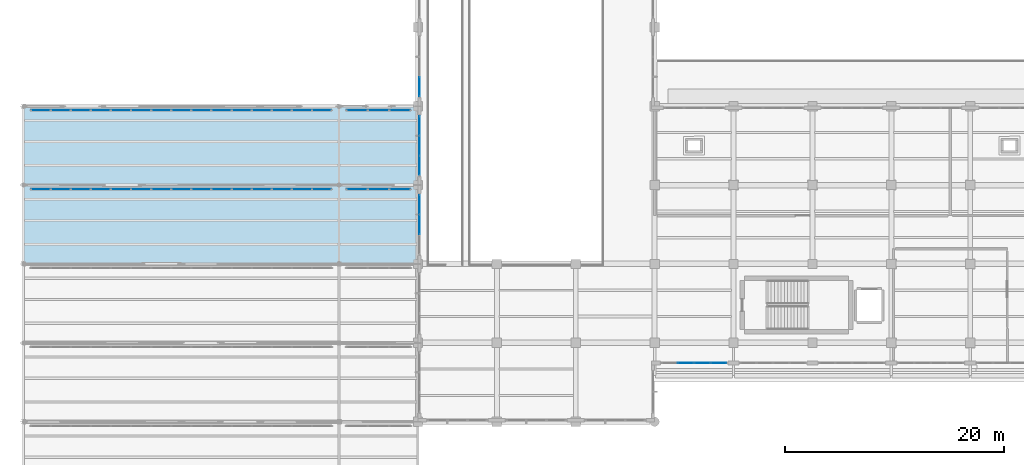
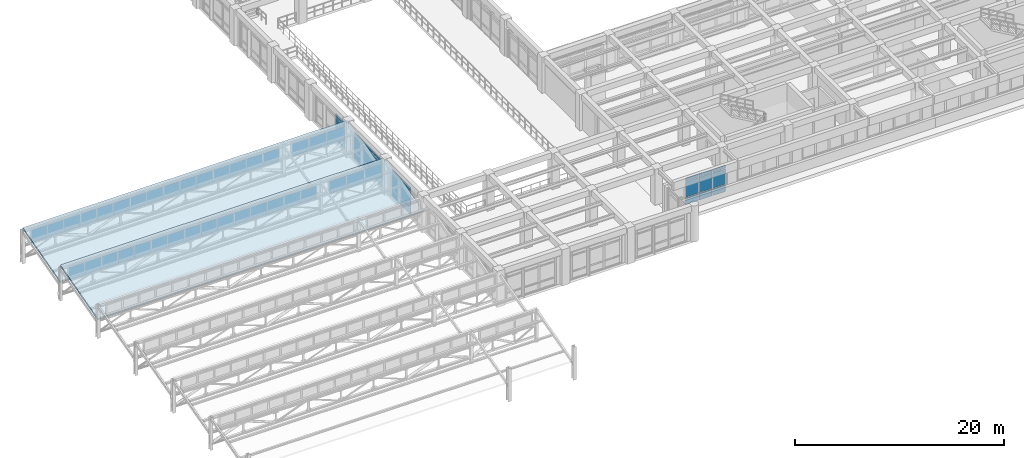
# One storey, part 66 of 98: 63 plates, 2 slabs, 8 elements without a shape of their own.
"""IFC4 building model written with IfcOpenShell, lengths in metres."""

from ifc_helpers import new_model, si_unit, direction, frame, origin, origin_2d, place, context, subcontext, project, spatial, polyline, rectangle, outline, extrude, material, layer, layer_set, type_object, element, aggregate, save


model = new_model("IFC4")

# Units and contexts
model_context = context("Model", 3, precision=1e-05, world=origin(), true_north=direction((0.0, 1.0)))
body_context = subcontext(model_context, "Body", "Model", "MODEL_VIEW")
ifc_project = project(units=[si_unit("LENGTHUNIT", "METRE"), si_unit("AREAUNIT", "SQUARE_METRE"), si_unit("VOLUMEUNIT", "CUBIC_METRE"), si_unit("PLANEANGLEUNIT", "RADIAN"), si_unit("MASSUNIT", "GRAM", prefix="KILO")], contexts=[model_context])

# Site, building, storey
site_placement = place(None, origin())
site = spatial("IfcSite", under=ifc_project, at=site_placement, CompositionType="ELEMENT")
building_placement = place(site_placement, origin())
building = spatial("IfcBuilding", under=site, at=building_placement, Name="Solenvale Faculty of Natural Sciences", CompositionType="ELEMENT")
storey_placement = place(building_placement, frame((0.0, 0.0, 9.0)))
storey = spatial("IfcBuildingStorey", under=building, at=storey_placement, Name="L02", CompositionType="ELEMENT", Elevation=9.0)

# Curtain wall, plates
ifc_material_1 = material(Name="Anodised bronze aluminium", Category="aluminium")
ifc_layer_1 = layer(ifc_material_1, 0.1650390625)
ifc_layer_set_1 = layer_set([ifc_layer_1], Name="Anodised bronze aluminium")
curtain_wall_type_1 = type_object("IfcCurtainWallType", Name="CW-SAW-CLR", PredefinedType="USERDEFINED", material=ifc_layer_set_1)
curtain_wall_1_placement = place(storey_placement, origin())
curtain_wall_1 = element("IfcCurtainWall", 1, at=curtain_wall_1_placement, inside=storey, type_object=curtain_wall_type_1, Name="L02 Curtain Wall SAW-V1-CW-5-1", ObjectType="NORTH LIGHT CLERESTORY", PredefinedType="USERDEFINED")
ifc_material_2 = material(Name="North-light skylight glass", Category="glass")
ifc_layer_2 = layer(ifc_material_2, 0.028076171875)
ifc_layer_set_2 = layer_set([ifc_layer_2], Name="North-light skylight glass")
plate_type_1 = type_object("IfcPlateType", Name="CWP-PNL-28", PredefinedType="CURTAIN_PANEL", material=ifc_layer_set_2)
plate_1_placement = place(storey_placement, frame((27.226318359375, 35.6201171875, 2.294921875), z_axis=(0.0, 0.0, 1.0), x_axis=(-1.0, 0.0, 0.0)))
plate_1 = element("IfcPlate", 2, at=plate_1_placement, type_object=plate_type_1, Name="CW-05 panel 1.1", PredefinedType="CURTAIN_PANEL", context=body_context, shape_type="SweptSolid", body=[
    extrude(rectangle(XDim=1.737060546875, YDim=0.028076171875, at=origin_2d()), origin(), (0.0, 0.0, 1.0), 1.47998046875),
])
plate_2_placement = place(storey_placement, frame((25.407958984375, 35.6201171875, 2.294921875), z_axis=(0.0, 0.0, 1.0), x_axis=(-1.0, 0.0, 0.0)))
plate_2 = element("IfcPlate", 3, at=plate_2_placement, type_object=plate_type_1, Name="CW-05 panel 2.1", PredefinedType="CURTAIN_PANEL", context=body_context, shape_type="SweptSolid", body=[
    extrude(rectangle(XDim=1.769775390625, YDim=0.028076171875, at=origin_2d()), origin(), (0.0, 0.0, 1.0), 1.47998046875),
])
plate_3_placement = place(storey_placement, frame((23.5732421875, 35.6201171875, 2.294921875), z_axis=(0.0, 0.0, 1.0), x_axis=(-1.0, 0.0, 0.0)))
plate_3 = element("IfcPlate", 4, at=plate_3_placement, type_object=plate_type_1, Name="CW-05 panel 3.1", PredefinedType="CURTAIN_PANEL", context=body_context, shape_type="SweptSolid", body=[
    extrude(rectangle(XDim=1.769775390625, YDim=0.028076171875, at=origin_2d()), origin(), (0.0, 0.0, 1.0), 1.47998046875),
])
plate_4_placement = place(storey_placement, frame((21.73876953125, 35.6201171875, 2.294921875), z_axis=(0.0, 0.0, 1.0), x_axis=(-1.0, 0.0, 0.0)))
plate_4 = element("IfcPlate", 5, at=plate_4_placement, type_object=plate_type_1, Name="CW-05 panel 4.1", PredefinedType="CURTAIN_PANEL", context=body_context, shape_type="SweptSolid", body=[
    extrude(rectangle(XDim=1.769775390625, YDim=0.028076171875, at=origin_2d()), origin(), (0.0, 0.0, 1.0), 1.47998046875),
])
plate_5_placement = place(storey_placement, frame((19.904052734375, 35.6201171875, 2.294921875), z_axis=(0.0, 0.0, 1.0), x_axis=(-1.0, 0.0, 0.0)))
plate_5 = element("IfcPlate", 6, at=plate_5_placement, type_object=plate_type_1, Name="CW-05 panel 5.1", PredefinedType="CURTAIN_PANEL", context=body_context, shape_type="SweptSolid", body=[
    extrude(rectangle(XDim=1.769775390625, YDim=0.028076171875, at=origin_2d()), origin(), (0.0, 0.0, 1.0), 1.47998046875),
])
plate_6_placement = place(storey_placement, frame((18.0693359375, 35.6201171875, 2.294921875), z_axis=(0.0, 0.0, 1.0), x_axis=(-1.0, 0.0, 0.0)))
plate_6 = element("IfcPlate", 7, at=plate_6_placement, type_object=plate_type_1, Name="CW-05 panel 6.1", PredefinedType="CURTAIN_PANEL", context=body_context, shape_type="SweptSolid", body=[
    extrude(rectangle(XDim=1.769775390625, YDim=0.028076171875, at=origin_2d()), origin(), (0.0, 0.0, 1.0), 1.47998046875),
])
plate_7_placement = place(storey_placement, frame((16.234619140625, 35.6201171875, 2.294921875), z_axis=(0.0, 0.0, 1.0), x_axis=(-1.0, 0.0, 0.0)))
plate_7 = element("IfcPlate", 8, at=plate_7_placement, type_object=plate_type_1, Name="CW-05 panel 7.1", PredefinedType="CURTAIN_PANEL", context=body_context, shape_type="SweptSolid", body=[
    extrude(rectangle(XDim=1.769775390625, YDim=0.028076171875, at=origin_2d()), origin(), (0.0, 0.0, 1.0), 1.47998046875),
])
plate_8_placement = place(storey_placement, frame((14.39990234375, 35.6201171875, 2.294921875), z_axis=(0.0, 0.0, 1.0), x_axis=(-1.0, 0.0, 0.0)))
plate_8 = element("IfcPlate", 9, at=plate_8_placement, type_object=plate_type_1, Name="CW-05 panel 8.1", PredefinedType="CURTAIN_PANEL", context=body_context, shape_type="SweptSolid", body=[
    extrude(rectangle(XDim=1.769775390625, YDim=0.028076171875, at=origin_2d()), origin(), (0.0, 0.0, 1.0), 1.47998046875),
])
plate_9_placement = place(storey_placement, frame((12.5654296875, 35.6201171875, 2.294921875), z_axis=(0.0, 0.0, 1.0), x_axis=(-1.0, 0.0, 0.0)))
plate_9 = element("IfcPlate", 10, at=plate_9_placement, type_object=plate_type_1, Name="CW-05 panel 9.1", PredefinedType="CURTAIN_PANEL", context=body_context, shape_type="SweptSolid", body=[
    extrude(rectangle(XDim=1.769775390625, YDim=0.028076171875, at=origin_2d()), origin(), (0.0, 0.0, 1.0), 1.47998046875),
])
plate_10_placement = place(storey_placement, frame((10.730712890625, 35.6201171875, 2.294921875), z_axis=(0.0, 0.0, 1.0), x_axis=(-1.0, 0.0, 0.0)))
plate_10 = element("IfcPlate", 11, at=plate_10_placement, type_object=plate_type_1, Name="CW-05 panel 10.1", PredefinedType="CURTAIN_PANEL", context=body_context, shape_type="SweptSolid", body=[
    extrude(rectangle(XDim=1.769775390625, YDim=0.028076171875, at=origin_2d()), origin(), (0.0, 0.0, 1.0), 1.47998046875),
])
plate_11_placement = place(storey_placement, frame((8.89599609375, 35.6201171875, 2.294921875), z_axis=(0.0, 0.0, 1.0), x_axis=(-1.0, 0.0, 0.0)))
plate_11 = element("IfcPlate", 12, at=plate_11_placement, type_object=plate_type_1, Name="CW-05 panel 11.1", PredefinedType="CURTAIN_PANEL", context=body_context, shape_type="SweptSolid", body=[
    extrude(rectangle(XDim=1.769775390625, YDim=0.028076171875, at=origin_2d()), origin(), (0.0, 0.0, 1.0), 1.47998046875),
])
plate_12_placement = place(storey_placement, frame((7.061279296875, 35.6201171875, 2.294921875), z_axis=(0.0, 0.0, 1.0), x_axis=(-1.0, 0.0, 0.0)))
plate_12 = element("IfcPlate", 13, at=plate_12_placement, type_object=plate_type_1, Name="CW-05 panel 12.1", PredefinedType="CURTAIN_PANEL", context=body_context, shape_type="SweptSolid", body=[
    extrude(rectangle(XDim=1.769775390625, YDim=0.028076171875, at=origin_2d()), origin(), (0.0, 0.0, 1.0), 1.47998046875),
])
plate_13_placement = place(storey_placement, frame((5.2265625, 35.6201171875, 2.294921875), z_axis=(0.0, 0.0, 1.0), x_axis=(-1.0, 0.0, 0.0)))
plate_13 = element("IfcPlate", 14, at=plate_13_placement, type_object=plate_type_1, Name="CW-05 panel 13.1", PredefinedType="CURTAIN_PANEL", context=body_context, shape_type="SweptSolid", body=[
    extrude(rectangle(XDim=1.769775390625, YDim=0.028076171875, at=origin_2d()), origin(), (0.0, 0.0, 1.0), 1.47998046875),
])
plate_14_placement = place(storey_placement, frame((3.39208984375, 35.6201171875, 2.294921875), z_axis=(0.0, 0.0, 1.0), x_axis=(-1.0, 0.0, 0.0)))
plate_14 = element("IfcPlate", 15, at=plate_14_placement, type_object=plate_type_1, Name="CW-05 panel 14.1", PredefinedType="CURTAIN_PANEL", context=body_context, shape_type="SweptSolid", body=[
    extrude(rectangle(XDim=1.769775390625, YDim=0.028076171875, at=origin_2d()), origin(), (0.0, 0.0, 1.0), 1.47998046875),
])
plate_15_placement = place(storey_placement, frame((1.573486328125, 35.6201171875, 2.294921875), z_axis=(0.0, 0.0, 1.0), x_axis=(-1.0, 0.0, 0.0)))
plate_15 = element("IfcPlate", 16, at=plate_15_placement, type_object=plate_type_1, Name="CW-05 panel 15.1", PredefinedType="CURTAIN_PANEL", context=body_context, shape_type="SweptSolid", body=[
    extrude(rectangle(XDim=1.737060546875, YDim=0.028076171875, at=origin_2d()), origin(), (0.0, 0.0, 1.0), 1.47998046875),
])
aggregate(curtain_wall_1, [plate_1, plate_2, plate_3, plate_4, plate_5, plate_6, plate_7, plate_8, plate_9, plate_10, plate_11, plate_12, plate_13, plate_14, plate_15])

curtain_wall_2_placement = place(storey_placement, origin())
curtain_wall_2 = element("IfcCurtainWall", 17, at=curtain_wall_2_placement, inside=storey, type_object=curtain_wall_type_1, Name="L02 Curtain Wall SAW-V1-CW-5-2", ObjectType="NORTH LIGHT CLERESTORY", PredefinedType="USERDEFINED")
plate_16_placement = place(storey_placement, frame((34.357177734375, 35.6201171875, 2.294921875), z_axis=(0.0, 0.0, 1.0), x_axis=(-1.0, 0.0, 0.0)))
plate_16 = element("IfcPlate", 18, at=plate_16_placement, type_object=plate_type_1, Name="CW-05 panel 1.1", PredefinedType="CURTAIN_PANEL", context=body_context, shape_type="SweptSolid", body=[
    extrude(rectangle(XDim=1.875732421875, YDim=0.028076171875, at=origin_2d()), origin(), (0.0, 0.0, 1.0), 1.47998046875),
])
plate_17_placement = place(storey_placement, frame((32.39990234375, 35.6201171875, 2.294921875), z_axis=(0.0, 0.0, 1.0), x_axis=(-1.0, 0.0, 0.0)))
plate_17 = element("IfcPlate", 19, at=plate_17_placement, type_object=plate_type_1, Name="CW-05 panel 2.1", PredefinedType="CURTAIN_PANEL", context=body_context, shape_type="SweptSolid", body=[
    extrude(rectangle(XDim=1.908447265625, YDim=0.028076171875, at=origin_2d()), origin(), (0.0, 0.0, 1.0), 1.47998046875),
])
plate_18_placement = place(storey_placement, frame((30.44287109375, 35.6201171875, 2.294921875), z_axis=(0.0, 0.0, 1.0), x_axis=(-1.0, 0.0, 0.0)))
plate_18 = element("IfcPlate", 20, at=plate_18_placement, type_object=plate_type_1, Name="CW-05 panel 3.1", PredefinedType="CURTAIN_PANEL", context=body_context, shape_type="SweptSolid", body=[
    extrude(rectangle(XDim=1.875732421875, YDim=0.028076171875, at=origin_2d()), origin(), (0.0, 0.0, 1.0), 1.47998046875),
])
aggregate(curtain_wall_2, [plate_16, plate_17, plate_18])

curtain_wall_3_placement = place(storey_placement, origin())
curtain_wall_3 = element("IfcCurtainWall", 21, at=curtain_wall_3_placement, inside=storey, type_object=curtain_wall_type_1, Name="L02 Curtain Wall SAW-V1-CW-6-1", ObjectType="NORTH LIGHT CLERESTORY", PredefinedType="USERDEFINED")
plate_19_placement = place(storey_placement, frame((27.226318359375, 42.820068359375, 2.294921875), z_axis=(0.0, 0.0, 1.0), x_axis=(-1.0, 0.0, 0.0)))
plate_19 = element("IfcPlate", 22, at=plate_19_placement, type_object=plate_type_1, Name="CW-05 panel 1.1", PredefinedType="CURTAIN_PANEL", context=body_context, shape_type="SweptSolid", body=[
    extrude(rectangle(XDim=1.737060546875, YDim=0.028076171875, at=origin_2d()), origin(), (0.0, 0.0, 1.0), 1.47998046875),
])
plate_20_placement = place(storey_placement, frame((25.407958984375, 42.820068359375, 2.294921875), z_axis=(0.0, 0.0, 1.0), x_axis=(-1.0, 0.0, 0.0)))
plate_20 = element("IfcPlate", 23, at=plate_20_placement, type_object=plate_type_1, Name="CW-05 panel 2.1", PredefinedType="CURTAIN_PANEL", context=body_context, shape_type="SweptSolid", body=[
    extrude(rectangle(XDim=1.769775390625, YDim=0.028076171875, at=origin_2d()), origin(), (0.0, 0.0, 1.0), 1.47998046875),
])
plate_21_placement = place(storey_placement, frame((23.5732421875, 42.820068359375, 2.294921875), z_axis=(0.0, 0.0, 1.0), x_axis=(-1.0, 0.0, 0.0)))
plate_21 = element("IfcPlate", 24, at=plate_21_placement, type_object=plate_type_1, Name="CW-05 panel 3.1", PredefinedType="CURTAIN_PANEL", context=body_context, shape_type="SweptSolid", body=[
    extrude(rectangle(XDim=1.769775390625, YDim=0.028076171875, at=origin_2d()), origin(), (0.0, 0.0, 1.0), 1.47998046875),
])
plate_22_placement = place(storey_placement, frame((21.73876953125, 42.820068359375, 2.294921875), z_axis=(0.0, 0.0, 1.0), x_axis=(-1.0, 0.0, 0.0)))
plate_22 = element("IfcPlate", 25, at=plate_22_placement, type_object=plate_type_1, Name="CW-05 panel 4.1", PredefinedType="CURTAIN_PANEL", context=body_context, shape_type="SweptSolid", body=[
    extrude(rectangle(XDim=1.769775390625, YDim=0.028076171875, at=origin_2d()), origin(), (0.0, 0.0, 1.0), 1.47998046875),
])
plate_23_placement = place(storey_placement, frame((19.904052734375, 42.820068359375, 2.294921875), z_axis=(0.0, 0.0, 1.0), x_axis=(-1.0, 0.0, 0.0)))
plate_23 = element("IfcPlate", 26, at=plate_23_placement, type_object=plate_type_1, Name="CW-05 panel 5.1", PredefinedType="CURTAIN_PANEL", context=body_context, shape_type="SweptSolid", body=[
    extrude(rectangle(XDim=1.769775390625, YDim=0.028076171875, at=origin_2d()), origin(), (0.0, 0.0, 1.0), 1.47998046875),
])
plate_24_placement = place(storey_placement, frame((18.0693359375, 42.820068359375, 2.294921875), z_axis=(0.0, 0.0, 1.0), x_axis=(-1.0, 0.0, 0.0)))
plate_24 = element("IfcPlate", 27, at=plate_24_placement, type_object=plate_type_1, Name="CW-05 panel 6.1", PredefinedType="CURTAIN_PANEL", context=body_context, shape_type="SweptSolid", body=[
    extrude(rectangle(XDim=1.769775390625, YDim=0.028076171875, at=origin_2d()), origin(), (0.0, 0.0, 1.0), 1.47998046875),
])
plate_25_placement = place(storey_placement, frame((16.234619140625, 42.820068359375, 2.294921875), z_axis=(0.0, 0.0, 1.0), x_axis=(-1.0, 0.0, 0.0)))
plate_25 = element("IfcPlate", 28, at=plate_25_placement, type_object=plate_type_1, Name="CW-05 panel 7.1", PredefinedType="CURTAIN_PANEL", context=body_context, shape_type="SweptSolid", body=[
    extrude(rectangle(XDim=1.769775390625, YDim=0.028076171875, at=origin_2d()), origin(), (0.0, 0.0, 1.0), 1.47998046875),
])
plate_26_placement = place(storey_placement, frame((14.39990234375, 42.820068359375, 2.294921875), z_axis=(0.0, 0.0, 1.0), x_axis=(-1.0, 0.0, 0.0)))
plate_26 = element("IfcPlate", 29, at=plate_26_placement, type_object=plate_type_1, Name="CW-05 panel 8.1", PredefinedType="CURTAIN_PANEL", context=body_context, shape_type="SweptSolid", body=[
    extrude(rectangle(XDim=1.769775390625, YDim=0.028076171875, at=origin_2d()), origin(), (0.0, 0.0, 1.0), 1.47998046875),
])
plate_27_placement = place(storey_placement, frame((12.5654296875, 42.820068359375, 2.294921875), z_axis=(0.0, 0.0, 1.0), x_axis=(-1.0, 0.0, 0.0)))
plate_27 = element("IfcPlate", 30, at=plate_27_placement, type_object=plate_type_1, Name="CW-05 panel 9.1", PredefinedType="CURTAIN_PANEL", context=body_context, shape_type="SweptSolid", body=[
    extrude(rectangle(XDim=1.769775390625, YDim=0.028076171875, at=origin_2d()), origin(), (0.0, 0.0, 1.0), 1.47998046875),
])
plate_28_placement = place(storey_placement, frame((10.730712890625, 42.820068359375, 2.294921875), z_axis=(0.0, 0.0, 1.0), x_axis=(-1.0, 0.0, 0.0)))
plate_28 = element("IfcPlate", 31, at=plate_28_placement, type_object=plate_type_1, Name="CW-05 panel 10.1", PredefinedType="CURTAIN_PANEL", context=body_context, shape_type="SweptSolid", body=[
    extrude(rectangle(XDim=1.769775390625, YDim=0.028076171875, at=origin_2d()), origin(), (0.0, 0.0, 1.0), 1.47998046875),
])
plate_29_placement = place(storey_placement, frame((8.89599609375, 42.820068359375, 2.294921875), z_axis=(0.0, 0.0, 1.0), x_axis=(-1.0, 0.0, 0.0)))
plate_29 = element("IfcPlate", 32, at=plate_29_placement, type_object=plate_type_1, Name="CW-05 panel 11.1", PredefinedType="CURTAIN_PANEL", context=body_context, shape_type="SweptSolid", body=[
    extrude(rectangle(XDim=1.769775390625, YDim=0.028076171875, at=origin_2d()), origin(), (0.0, 0.0, 1.0), 1.47998046875),
])
plate_30_placement = place(storey_placement, frame((7.061279296875, 42.820068359375, 2.294921875), z_axis=(0.0, 0.0, 1.0), x_axis=(-1.0, 0.0, 0.0)))
plate_30 = element("IfcPlate", 33, at=plate_30_placement, type_object=plate_type_1, Name="CW-05 panel 12.1", PredefinedType="CURTAIN_PANEL", context=body_context, shape_type="SweptSolid", body=[
    extrude(rectangle(XDim=1.769775390625, YDim=0.028076171875, at=origin_2d()), origin(), (0.0, 0.0, 1.0), 1.47998046875),
])
plate_31_placement = place(storey_placement, frame((5.2265625, 42.820068359375, 2.294921875), z_axis=(0.0, 0.0, 1.0), x_axis=(-1.0, 0.0, 0.0)))
plate_31 = element("IfcPlate", 34, at=plate_31_placement, type_object=plate_type_1, Name="CW-05 panel 13.1", PredefinedType="CURTAIN_PANEL", context=body_context, shape_type="SweptSolid", body=[
    extrude(rectangle(XDim=1.769775390625, YDim=0.028076171875, at=origin_2d()), origin(), (0.0, 0.0, 1.0), 1.47998046875),
])
plate_32_placement = place(storey_placement, frame((3.39208984375, 42.820068359375, 2.294921875), z_axis=(0.0, 0.0, 1.0), x_axis=(-1.0, 0.0, 0.0)))
plate_32 = element("IfcPlate", 35, at=plate_32_placement, type_object=plate_type_1, Name="CW-05 panel 14.1", PredefinedType="CURTAIN_PANEL", context=body_context, shape_type="SweptSolid", body=[
    extrude(rectangle(XDim=1.769775390625, YDim=0.028076171875, at=origin_2d()), origin(), (0.0, 0.0, 1.0), 1.47998046875),
])
plate_33_placement = place(storey_placement, frame((1.573486328125, 42.820068359375, 2.294921875), z_axis=(0.0, 0.0, 1.0), x_axis=(-1.0, 0.0, 0.0)))
plate_33 = element("IfcPlate", 36, at=plate_33_placement, type_object=plate_type_1, Name="CW-05 panel 15.1", PredefinedType="CURTAIN_PANEL", context=body_context, shape_type="SweptSolid", body=[
    extrude(rectangle(XDim=1.737060546875, YDim=0.028076171875, at=origin_2d()), origin(), (0.0, 0.0, 1.0), 1.47998046875),
])
aggregate(curtain_wall_3, [plate_19, plate_20, plate_21, plate_22, plate_23, plate_24, plate_25, plate_26, plate_27, plate_28, plate_29, plate_30, plate_31, plate_32, plate_33])

curtain_wall_4_placement = place(storey_placement, origin())
curtain_wall_4 = element("IfcCurtainWall", 37, at=curtain_wall_4_placement, inside=storey, type_object=curtain_wall_type_1, Name="L02 Curtain Wall SAW-V1-CW-6-2", ObjectType="NORTH LIGHT CLERESTORY", PredefinedType="USERDEFINED")
plate_34_placement = place(storey_placement, frame((34.357177734375, 42.820068359375, 2.294921875), z_axis=(0.0, 0.0, 1.0), x_axis=(-1.0, 0.0, 0.0)))
plate_34 = element("IfcPlate", 38, at=plate_34_placement, type_object=plate_type_1, Name="CW-05 panel 1.1", PredefinedType="CURTAIN_PANEL", context=body_context, shape_type="SweptSolid", body=[
    extrude(rectangle(XDim=1.875732421875, YDim=0.028076171875, at=origin_2d()), origin(), (0.0, 0.0, 1.0), 1.47998046875),
])
plate_35_placement = place(storey_placement, frame((32.39990234375, 42.820068359375, 2.294921875), z_axis=(0.0, 0.0, 1.0), x_axis=(-1.0, 0.0, 0.0)))
plate_35 = element("IfcPlate", 39, at=plate_35_placement, type_object=plate_type_1, Name="CW-05 panel 2.1", PredefinedType="CURTAIN_PANEL", context=body_context, shape_type="SweptSolid", body=[
    extrude(rectangle(XDim=1.908447265625, YDim=0.028076171875, at=origin_2d()), origin(), (0.0, 0.0, 1.0), 1.47998046875),
])
plate_36_placement = place(storey_placement, frame((30.44287109375, 42.820068359375, 2.294921875), z_axis=(0.0, 0.0, 1.0), x_axis=(-1.0, 0.0, 0.0)))
plate_36 = element("IfcPlate", 40, at=plate_36_placement, type_object=plate_type_1, Name="CW-05 panel 3.1", PredefinedType="CURTAIN_PANEL", context=body_context, shape_type="SweptSolid", body=[
    extrude(rectangle(XDim=1.875732421875, YDim=0.028076171875, at=origin_2d()), origin(), (0.0, 0.0, 1.0), 1.47998046875),
])
aggregate(curtain_wall_4, [plate_34, plate_35, plate_36])

ifc_layer_3 = layer(ifc_material_1, 0.18994140625)
ifc_layer_set_3 = layer_set([ifc_layer_3], Name="Anodised bronze aluminium")
curtain_wall_type_2 = type_object("IfcCurtainWallType", Name="CW-TRAY-REC", PredefinedType="USERDEFINED", material=ifc_layer_set_3)
curtain_wall_5_placement = place(storey_placement, origin())
curtain_wall_5 = element("IfcCurtainWall", 41, at=curtain_wall_5_placement, inside=storey, type_object=curtain_wall_type_2, Name="L02 Curtain Wall CW-L02-P1-E12-B1", ObjectType="UNITISED CURTAIN WALL", PredefinedType="USERDEFINED")
plate_37_placement = place(storey_placement, frame((60.445068359375, 19.762451171875, 0.074951171875), z_axis=(0.0, 0.0, 1.0), x_axis=(1.0, 0.0, 0.0)))
plate_37 = element("IfcPlate", 42, at=plate_37_placement, type_object=plate_type_1, Name="CW-02 panel 2.1", PredefinedType="CURTAIN_PANEL", context=body_context, shape_type="SweptSolid", body=[
    extrude(rectangle(XDim=1.43505859375, YDim=0.028076171875, at=origin_2d()), origin(), (0.0, 0.0, 1.0), 0.78759765625),
])
plate_38_placement = place(storey_placement, frame((60.445068359375, 19.762451171875, 0.9375), z_axis=(0.0, 0.0, 1.0), x_axis=(1.0, 0.0, 0.0)))
plate_38 = element("IfcPlate", 43, at=plate_38_placement, type_object=plate_type_1, Name="CW-02 panel 2.2", PredefinedType="CURTAIN_PANEL", context=body_context, shape_type="SweptSolid", body=[
    extrude(rectangle(XDim=1.43505859375, YDim=0.028076171875, at=origin_2d()), origin(), (0.0, 0.0, 1.0), 1.784912109375),
])
plate_39_placement = place(storey_placement, frame((60.445068359375, 19.762451171875, 2.79736328125), z_axis=(0.0, 0.0, 1.0), x_axis=(1.0, 0.0, 0.0)))
plate_39 = element("IfcPlate", 44, at=plate_39_placement, type_object=plate_type_1, Name="CW-02 panel 2.3", PredefinedType="CURTAIN_PANEL", context=body_context, shape_type="SweptSolid", body=[
    extrude(rectangle(XDim=1.43505859375, YDim=0.028076171875, at=origin_2d()), origin(), (0.0, 0.0, 1.0), 0.387451171875),
])
plate_40_placement = place(storey_placement, frame((61.955078125, 19.762451171875, 0.074951171875), z_axis=(0.0, 0.0, 1.0), x_axis=(1.0, 0.0, 0.0)))
plate_40 = element("IfcPlate", 45, at=plate_40_placement, type_object=plate_type_1, Name="CW-02 panel 3.1", PredefinedType="CURTAIN_PANEL", context=body_context, shape_type="SweptSolid", body=[
    extrude(rectangle(XDim=1.43505859375, YDim=0.028076171875, at=origin_2d()), origin(), (0.0, 0.0, 1.0), 0.78759765625),
])
plate_41_placement = place(storey_placement, frame((61.955078125, 19.762451171875, 0.9375), z_axis=(0.0, 0.0, 1.0), x_axis=(1.0, 0.0, 0.0)))
plate_41 = element("IfcPlate", 46, at=plate_41_placement, type_object=plate_type_1, Name="CW-02 panel 3.2", PredefinedType="CURTAIN_PANEL", context=body_context, shape_type="SweptSolid", body=[
    extrude(rectangle(XDim=1.43505859375, YDim=0.028076171875, at=origin_2d()), origin(), (0.0, 0.0, 1.0), 1.784912109375),
])
plate_42_placement = place(storey_placement, frame((61.955078125, 19.762451171875, 2.79736328125), z_axis=(0.0, 0.0, 1.0), x_axis=(1.0, 0.0, 0.0)))
plate_42 = element("IfcPlate", 47, at=plate_42_placement, type_object=plate_type_1, Name="CW-02 panel 3.3", PredefinedType="CURTAIN_PANEL", context=body_context, shape_type="SweptSolid", body=[
    extrude(rectangle(XDim=1.43505859375, YDim=0.028076171875, at=origin_2d()), origin(), (0.0, 0.0, 1.0), 0.387451171875),
])
plate_43_placement = place(storey_placement, frame((63.4462890625, 19.762451171875, 0.074951171875), z_axis=(0.0, 0.0, 1.0), x_axis=(1.0, 0.0, 0.0)))
plate_43 = element("IfcPlate", 48, at=plate_43_placement, type_object=plate_type_1, Name="CW-02 panel 4.1", PredefinedType="CURTAIN_PANEL", context=body_context, shape_type="SweptSolid", body=[
    extrude(rectangle(XDim=1.3974609375, YDim=0.028076171875, at=origin_2d()), origin(), (0.0, 0.0, 1.0), 0.78759765625),
])
plate_44_placement = place(storey_placement, frame((63.4462890625, 19.762451171875, 0.9375), z_axis=(0.0, 0.0, 1.0), x_axis=(1.0, 0.0, 0.0)))
plate_44 = element("IfcPlate", 49, at=plate_44_placement, type_object=plate_type_1, Name="CW-02 panel 4.2", PredefinedType="CURTAIN_PANEL", context=body_context, shape_type="SweptSolid", body=[
    extrude(rectangle(XDim=1.3974609375, YDim=0.028076171875, at=origin_2d()), origin(), (0.0, 0.0, 1.0), 1.784912109375),
])
plate_45_placement = place(storey_placement, frame((63.4462890625, 19.762451171875, 2.79736328125), z_axis=(0.0, 0.0, 1.0), x_axis=(1.0, 0.0, 0.0)))
plate_45 = element("IfcPlate", 50, at=plate_45_placement, type_object=plate_type_1, Name="CW-02 panel 4.3", PredefinedType="CURTAIN_PANEL", context=body_context, shape_type="SweptSolid", body=[
    extrude(rectangle(XDim=1.3974609375, YDim=0.028076171875, at=origin_2d()), origin(), (0.0, 0.0, 1.0), 0.387451171875),
])
aggregate(curtain_wall_5, [plate_37, plate_38, plate_39, plate_40, plate_41, plate_42, plate_43, plate_44, plate_45])

ifc_layer_4 = layer(ifc_material_1, 0.215087890625)
ifc_layer_set_4 = layer_set([ifc_layer_4], Name="Anodised bronze aluminium")
curtain_wall_type_3 = type_object("IfcCurtainWallType", Name="CW-ATR-UNIT", PredefinedType="USERDEFINED", material=ifc_layer_set_4)
curtain_wall_6_placement = place(storey_placement, origin())
curtain_wall_6 = element("IfcCurtainWall", 51, at=curtain_wall_6_placement, inside=storey, type_object=curtain_wall_type_3, Name="L02 Curtain Wall CW-L02-P1-E9-B7", ObjectType="UNITISED CURTAIN WALL", PredefinedType="USERDEFINED")
ifc_material_3 = material(Name="Triple low-E insulated glass", Category="glass")
ifc_layer_5 = layer(ifc_material_3, 0.0400390625)
ifc_layer_set_5 = layer_set([ifc_layer_5], Name="Triple low-E insulated glass")
plate_type_2 = type_object("IfcPlateType", Name="CWP-PNL-40", PredefinedType="CURTAIN_PANEL", material=ifc_layer_set_5)
plate_46_placement = place(storey_placement, frame((36.142578125, 44.9853515625, 0.074951171875), z_axis=(0.0, 0.0, 1.0), x_axis=(0.0, -1.0, 0.0)))
plate_46 = element("IfcPlate", 52, at=plate_46_placement, type_object=plate_type_2, Name="CW-01 panel 3.1", PredefinedType="CURTAIN_PANEL", context=body_context, shape_type="SweptSolid", body=[
    extrude(rectangle(XDim=1.720947265625, YDim=0.0400390625, at=origin_2d()), origin(), (0.0, 0.0, 1.0), 0.78759765625),
])
plate_47_placement = place(storey_placement, frame((36.142578125, 44.9853515625, 0.9375), z_axis=(0.0, 0.0, 1.0), x_axis=(0.0, -1.0, 0.0)))
plate_47 = element("IfcPlate", 53, at=plate_47_placement, type_object=plate_type_2, Name="CW-01 panel 3.2", PredefinedType="CURTAIN_PANEL", context=body_context, shape_type="SweptSolid", body=[
    extrude(rectangle(XDim=1.720947265625, YDim=0.0400390625, at=origin_2d()), origin(), (0.0, 0.0, 1.0), 1.784912109375),
])
plate_48_placement = place(storey_placement, frame((36.142578125, 44.9853515625, 2.79736328125), z_axis=(0.0, 0.0, 1.0), x_axis=(0.0, -1.0, 0.0)))
plate_48 = element("IfcPlate", 54, at=plate_48_placement, type_object=plate_type_2, Name="CW-01 panel 3.3", PredefinedType="CURTAIN_PANEL", context=body_context, shape_type="SweptSolid", body=[
    extrude(rectangle(XDim=1.720947265625, YDim=0.0400390625, at=origin_2d()), origin(), (0.0, 0.0, 1.0), 0.387451171875),
])
aggregate(curtain_wall_6, [plate_46, plate_47, plate_48])

curtain_wall_7_placement = place(storey_placement, origin())
curtain_wall_7 = element("IfcCurtainWall", 55, at=curtain_wall_7_placement, inside=storey, type_object=curtain_wall_type_3, Name="L02 Curtain Wall CW-L02-P1-E9-B8", ObjectType="UNITISED CURTAIN WALL", PredefinedType="USERDEFINED")
ifc_layer_6 = layer(ifc_material_3, 0.0439453125)
ifc_layer_set_6 = layer_set([ifc_layer_6], Name="Triple low-E insulated glass")
plate_type_3 = type_object("IfcPlateType", Name="CWP-PNL-44", PredefinedType="CURTAIN_PANEL", material=ifc_layer_set_6)
plate_49_placement = place(storey_placement, frame((36.142578125, 41.41455078125, 0.074951171875), z_axis=(0.0, 0.0, 1.0), x_axis=(0.0, -1.0, 0.0)))
plate_49 = element("IfcPlate", 56, at=plate_49_placement, type_object=plate_type_3, Name="CW-01 panel 1.1", PredefinedType="CURTAIN_PANEL", context=body_context, shape_type="SweptSolid", body=[
    extrude(rectangle(XDim=1.720947265625, YDim=0.0439453125, at=origin_2d()), origin(), (0.0, 0.0, 1.0), 0.78759765625),
])
plate_50_placement = place(storey_placement, frame((36.142578125, 41.41455078125, 0.9375), z_axis=(0.0, 0.0, 1.0), x_axis=(0.0, -1.0, 0.0)))
plate_50 = element("IfcPlate", 57, at=plate_50_placement, type_object=plate_type_3, Name="CW-01 panel 1.2", PredefinedType="CURTAIN_PANEL", context=body_context, shape_type="SweptSolid", body=[
    extrude(rectangle(XDim=1.720947265625, YDim=0.0439453125, at=origin_2d()), origin(), (0.0, 0.0, 1.0), 1.784912109375),
])
plate_51_placement = place(storey_placement, frame((36.142578125, 41.41455078125, 2.79736328125), z_axis=(0.0, 0.0, 1.0), x_axis=(0.0, -1.0, 0.0)))
plate_51 = element("IfcPlate", 58, at=plate_51_placement, type_object=plate_type_3, Name="CW-01 panel 1.3", PredefinedType="CURTAIN_PANEL", context=body_context, shape_type="SweptSolid", body=[
    extrude(rectangle(XDim=1.720947265625, YDim=0.0439453125, at=origin_2d()), origin(), (0.0, 0.0, 1.0), 0.387451171875),
])
plate_52_placement = place(storey_placement, frame((36.142578125, 39.60009765625, 0.074951171875), z_axis=(0.0, 0.0, 1.0), x_axis=(0.0, -1.0, 0.0)))
plate_52 = element("IfcPlate", 59, at=plate_52_placement, type_object=plate_type_3, Name="CW-01 panel 2.1", PredefinedType="CURTAIN_PANEL", context=body_context, shape_type="SweptSolid", body=[
    extrude(rectangle(XDim=1.75830078125, YDim=0.0439453125, at=origin_2d()), origin(), (0.0, 0.0, 1.0), 0.78759765625),
])
plate_53_placement = place(storey_placement, frame((36.142578125, 39.60009765625, 0.9375), z_axis=(0.0, 0.0, 1.0), x_axis=(0.0, -1.0, 0.0)))
plate_53 = element("IfcPlate", 60, at=plate_53_placement, type_object=plate_type_3, Name="CW-01 panel 2.2", PredefinedType="CURTAIN_PANEL", context=body_context, shape_type="SweptSolid", body=[
    extrude(rectangle(XDim=1.75830078125, YDim=0.0439453125, at=origin_2d()), origin(), (0.0, 0.0, 1.0), 1.784912109375),
])
plate_54_placement = place(storey_placement, frame((36.142578125, 39.60009765625, 2.79736328125), z_axis=(0.0, 0.0, 1.0), x_axis=(0.0, -1.0, 0.0)))
plate_54 = element("IfcPlate", 61, at=plate_54_placement, type_object=plate_type_3, Name="CW-01 panel 2.3", PredefinedType="CURTAIN_PANEL", context=body_context, shape_type="SweptSolid", body=[
    extrude(rectangle(XDim=1.75830078125, YDim=0.0439453125, at=origin_2d()), origin(), (0.0, 0.0, 1.0), 0.387451171875),
])
plate_55_placement = place(storey_placement, frame((36.142578125, 37.785400390625, 0.074951171875), z_axis=(0.0, 0.0, 1.0), x_axis=(0.0, -1.0, 0.0)))
plate_55 = element("IfcPlate", 62, at=plate_55_placement, type_object=plate_type_3, Name="CW-01 panel 3.1", PredefinedType="CURTAIN_PANEL", context=body_context, shape_type="SweptSolid", body=[
    extrude(rectangle(XDim=1.720947265625, YDim=0.0439453125, at=origin_2d()), origin(), (0.0, 0.0, 1.0), 0.78759765625),
])
plate_56_placement = place(storey_placement, frame((36.142578125, 37.785400390625, 0.9375), z_axis=(0.0, 0.0, 1.0), x_axis=(0.0, -1.0, 0.0)))
plate_56 = element("IfcPlate", 63, at=plate_56_placement, type_object=plate_type_3, Name="CW-01 panel 3.2", PredefinedType="CURTAIN_PANEL", context=body_context, shape_type="SweptSolid", body=[
    extrude(rectangle(XDim=1.720947265625, YDim=0.0439453125, at=origin_2d()), origin(), (0.0, 0.0, 1.0), 1.784912109375),
])
plate_57_placement = place(storey_placement, frame((36.142578125, 37.785400390625, 2.79736328125), z_axis=(0.0, 0.0, 1.0), x_axis=(0.0, -1.0, 0.0)))
plate_57 = element("IfcPlate", 64, at=plate_57_placement, type_object=plate_type_3, Name="CW-01 panel 3.3", PredefinedType="CURTAIN_PANEL", context=body_context, shape_type="SweptSolid", body=[
    extrude(rectangle(XDim=1.720947265625, YDim=0.0439453125, at=origin_2d()), origin(), (0.0, 0.0, 1.0), 0.387451171875),
])
aggregate(curtain_wall_7, [plate_49, plate_50, plate_51, plate_52, plate_53, plate_54, plate_55, plate_56, plate_57])

curtain_wall_8_placement = place(storey_placement, origin())
curtain_wall_8 = element("IfcCurtainWall", 65, at=curtain_wall_8_placement, inside=storey, type_object=curtain_wall_type_3, Name="L02 Curtain Wall CW-L02-P1-E9-B9", ObjectType="UNITISED CURTAIN WALL", PredefinedType="USERDEFINED")
ifc_layer_7 = layer(ifc_material_1, 0.048095703125)
ifc_layer_set_7 = layer_set([ifc_layer_7], Name="Anodised bronze aluminium")
plate_type_4 = type_object("IfcPlateType", Name="CWP-PNL-48", PredefinedType="CURTAIN_PANEL", material=ifc_layer_set_7)
plate_58_placement = place(storey_placement, frame((36.142578125, 34.214599609375, 0.074951171875), z_axis=(0.0, 0.0, 1.0), x_axis=(0.0, -1.0, 0.0)))
plate_58 = element("IfcPlate", 66, at=plate_58_placement, type_object=plate_type_4, Name="CW-01 panel 1.1", PredefinedType="CURTAIN_PANEL", context=body_context, shape_type="SweptSolid", body=[
    extrude(rectangle(XDim=1.720947265625, YDim=0.048095703125, at=origin_2d()), origin(), (0.0, 0.0, 1.0), 0.78759765625),
])
plate_59_placement = place(storey_placement, frame((36.142578125, 34.214599609375, 0.9375), z_axis=(0.0, 0.0, 1.0), x_axis=(0.0, -1.0, 0.0)))
plate_59 = element("IfcPlate", 67, at=plate_59_placement, type_object=plate_type_4, Name="CW-01 panel 1.2", PredefinedType="CURTAIN_PANEL", context=body_context, shape_type="SweptSolid", body=[
    extrude(rectangle(XDim=1.720947265625, YDim=0.048095703125, at=origin_2d()), origin(), (0.0, 0.0, 1.0), 1.784912109375),
])
plate_60_placement = place(storey_placement, frame((36.142578125, 34.214599609375, 2.79736328125), z_axis=(0.0, 0.0, 1.0), x_axis=(0.0, -1.0, 0.0)))
plate_60 = element("IfcPlate", 68, at=plate_60_placement, type_object=plate_type_4, Name="CW-01 panel 1.3", PredefinedType="CURTAIN_PANEL", context=body_context, shape_type="SweptSolid", body=[
    extrude(rectangle(XDim=1.720947265625, YDim=0.048095703125, at=origin_2d()), origin(), (0.0, 0.0, 1.0), 0.387451171875),
])
plate_61_placement = place(storey_placement, frame((36.142578125, 32.39990234375, 0.074951171875), z_axis=(0.0, 0.0, 1.0), x_axis=(0.0, -1.0, 0.0)))
plate_61 = element("IfcPlate", 69, at=plate_61_placement, type_object=plate_type_4, Name="CW-01 panel 2.1", PredefinedType="CURTAIN_PANEL", context=body_context, shape_type="SweptSolid", body=[
    extrude(rectangle(XDim=1.75830078125, YDim=0.048095703125, at=origin_2d()), origin(), (0.0, 0.0, 1.0), 0.78759765625),
])
plate_62_placement = place(storey_placement, frame((36.142578125, 32.39990234375, 0.9375), z_axis=(0.0, 0.0, 1.0), x_axis=(0.0, -1.0, 0.0)))
plate_62 = element("IfcPlate", 70, at=plate_62_placement, type_object=plate_type_4, Name="CW-01 panel 2.2", PredefinedType="CURTAIN_PANEL", context=body_context, shape_type="SweptSolid", body=[
    extrude(rectangle(XDim=1.75830078125, YDim=0.048095703125, at=origin_2d()), origin(), (0.0, 0.0, 1.0), 1.784912109375),
])
plate_63_placement = place(storey_placement, frame((36.142578125, 32.39990234375, 2.79736328125), z_axis=(0.0, 0.0, 1.0), x_axis=(0.0, -1.0, 0.0)))
plate_63 = element("IfcPlate", 71, at=plate_63_placement, type_object=plate_type_4, Name="CW-01 panel 2.3", PredefinedType="CURTAIN_PANEL", context=body_context, shape_type="SweptSolid", body=[
    extrude(rectangle(XDim=1.75830078125, YDim=0.048095703125, at=origin_2d()), origin(), (0.0, 0.0, 1.0), 0.387451171875),
])
aggregate(curtain_wall_8, [plate_58, plate_59, plate_60, plate_61, plate_62, plate_63])

# Slabs
ifc_material_4 = material(Name="Precast concrete 40 MPa", Category="concrete")
ifc_layer_8 = layer(ifc_material_4, 0.205078125)
ifc_layer_set_8 = layer_set([ifc_layer_8], Name="Precast concrete 40 MPa")
slab_type = type_object("IfcSlabType", Name="SL-SAW-205", PredefinedType="ROOF", material=ifc_layer_set_8)
for number, where, z_axis, x_axis, name in (
    (72, (0.0, 28.800048828125, 2.169921875), (0.0, -0.258938536777, 0.965893800669), (1.0, 0.0, 0.0), "V1 Sawtooth Roof Deck Bay 5"),
    (73, (0.0, 36.0, 2.169921875), (0.0, -0.258938536777, 0.965893800669), (1.0, 0.0, 0.0), "V1 Sawtooth Roof Deck Bay 6"),
):
    element("IfcSlab", number, at=place(storey_placement, frame(where, z_axis=z_axis, x_axis=x_axis)), inside=storey, type_object=slab_type, Name=name, PredefinedType="ROOF", context=body_context, shape_type="SweptSolid", body=[
        extrude(outline(polyline([(0.0, 0.0), (36.0, 0.0), (36.0, 7.454185094556495), (0.0, 7.454185094556495), (0.0, 0.0)])), origin(), (0.0, 0.0, -1.0), 0.205078125),
    ])

save(model, "model.ifc")
